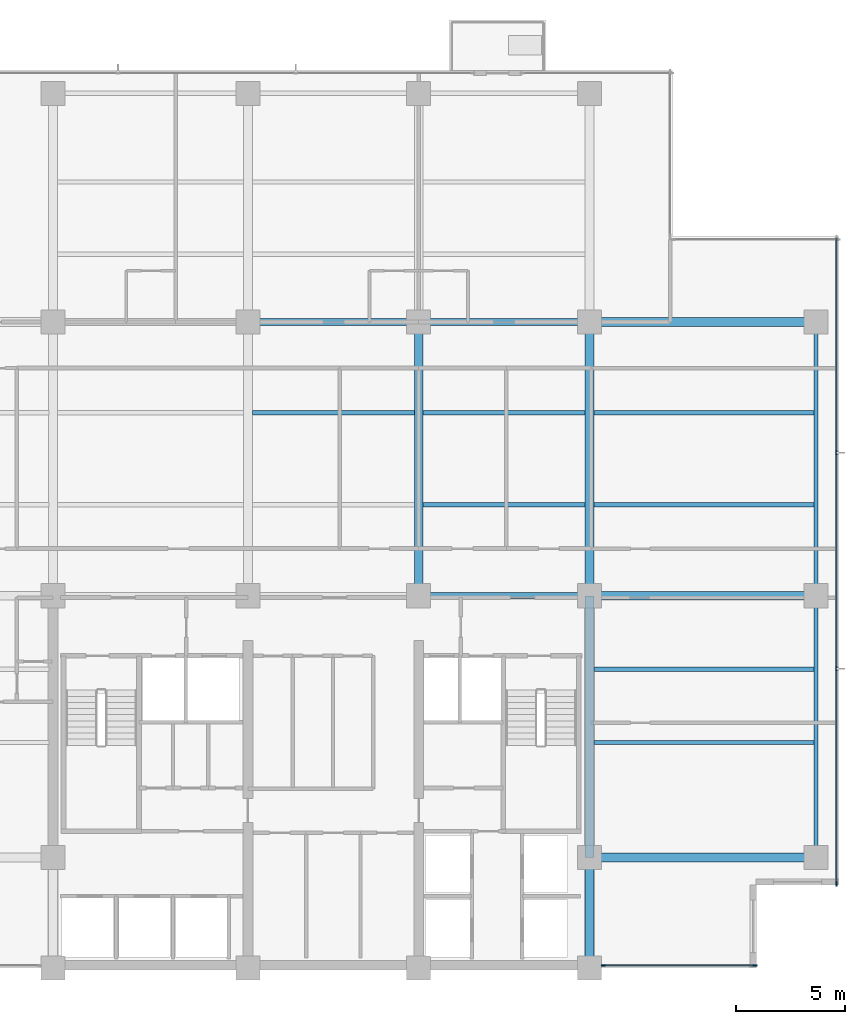
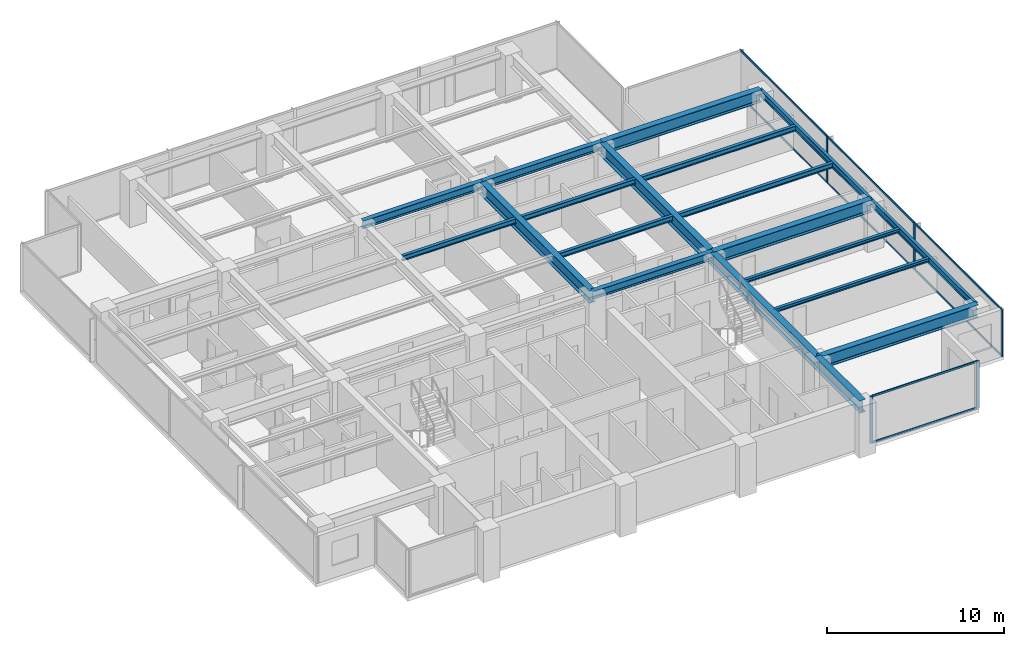
# One storey, part 3 of 15: 19 beams, 13 members, 2 elements without a shape of their own.
"""IFC4 building model written with IfcOpenShell, lengths in metres."""

from ifc_helpers import new_model, si_unit, direction, frame, origin, origin_2d, place, context, subcontext, project, spatial, rectangle, i_section, extrude, material, layer, layer_set, material_profile, profile_set, type_object, element, aggregate, save


model = new_model("IFC4")

# Units and contexts
model_context = context("Model", 3, precision=1e-05, world=origin(), true_north=direction((0.0, 1.0)))
body_context = subcontext(model_context, "Body", "Model", "MODEL_VIEW")
ifc_project = project(units=[si_unit("LENGTHUNIT", "METRE"), si_unit("AREAUNIT", "SQUARE_METRE"), si_unit("VOLUMEUNIT", "CUBIC_METRE"), si_unit("PLANEANGLEUNIT", "RADIAN"), si_unit("MASSUNIT", "GRAM", prefix="KILO")], contexts=[model_context])

# Site, building, storey
site_placement = place(None, origin())
site = spatial("IfcSite", under=ifc_project, at=site_placement, CompositionType="ELEMENT")
building_placement = place(site_placement, origin())
building = spatial("IfcBuilding", under=site, at=building_placement, Name="Qalmaran Belvedere Hotel", CompositionType="ELEMENT")
storey_placement = place(building_placement, frame((0.0, 0.0, 163.10009765625)))
storey = spatial("IfcBuildingStorey", under=building, at=storey_placement, Name="L41", CompositionType="ELEMENT", Elevation=163.10009765625)

# Beams
ifc_material_1 = material(Name="Steel S355JR", Category="steel")
ifc_material_profile_1 = material_profile(ifc_material_1, i_section(OverallWidth=0.201904296875, OverallDepth=0.2470703125, WebThickness=0.00732421875, FlangeThickness=0.010986328125, FilletRadius=0.011962890625, at=origin_2d()), Name="W250X49")
ifc_profile_set_1 = profile_set([ifc_material_profile_1], Name="Steel S355JR")
beam_type_1 = type_object("IfcBeamType", Name="BM-JST-W250X49", PredefinedType="JOIST", material=ifc_profile_set_1)
for number, where, z_axis, x_axis, name in (
    (1, (44.998046875, 13.800048828125, 3.12646484375), (1.0, 0.0, 0.0), (0.0, 1.0, 0.0), "L41 East Wing Joist 039"),
    (2, (44.998046875, 17.14990234375, 3.12646484375), (1.0, 0.0, 0.0), (0.0, 1.0, 0.0), "L41 East Wing Joist 041"),
):
    element("IfcBeam", number, at=place(storey_placement, frame(where, z_axis=z_axis, x_axis=x_axis)), inside=storey, type_object=beam_type_1, Name=name, PredefinedType="JOIST", context=body_context, shape_type="SweptSolid", body=[
        extrude(i_section(OverallWidth=0.201904296875, OverallDepth=0.2470703125, WebThickness=0.00732421875, FlangeThickness=0.010986328125, FilletRadius=0.011962890625, at=origin_2d()), origin(), (0.0, 0.0, 1.0), 10.057861328125),
    ])
ifc_material_profile_2 = material_profile(ifc_material_1, i_section(OverallWidth=0.39990234375, OverallDepth=0.85498046875, WebThickness=0.018310546875, FlangeThickness=0.029296875, FilletRadius=0.02392578125, at=origin_2d()), Name="W840X299")
ifc_profile_set_2 = profile_set([ifc_material_profile_2], Name="Steel S355JR")
beam_type_2 = type_object("IfcBeamType", Name="BM-PG3-W840X299", PredefinedType="USERDEFINED", material=ifc_profile_set_2)
for number, where, z_axis, x_axis, name in (
    (3, (37.0, 20.5, 2.822509765625), (0.0, 1.0, 0.0), (-1.0, 0.0, 0.0), "L41 Mid-Plate N-S Girder 18"),
    (4, (44.800048828125, 20.5, 2.822509765625), (0.0, 1.0, 0.0), (-1.0, 0.0, 0.0), "L41 Mid-Plate N-S Girder 20"),
):
    element("IfcBeam", number, at=place(storey_placement, frame(where, z_axis=z_axis, x_axis=x_axis)), inside=storey, type_object=beam_type_2, Name=name, ObjectType="GIRDER", PredefinedType="USERDEFINED", context=body_context, shape_type="SweptSolid", body=[
        extrude(i_section(OverallWidth=0.39990234375, OverallDepth=0.85498046875, WebThickness=0.018310546875, FlangeThickness=0.029296875, FilletRadius=0.02392578125, at=origin_2d()), origin(), (0.0, 0.0, 1.0), 12.5),
    ])
beam_1_placement = place(storey_placement, frame((44.800048828125, 3.5, 2.822509765625), z_axis=(0.0, 1.0, 0.0), x_axis=(-1.0, 0.0, 0.0)))
element("IfcBeam", 5, at=beam_1_placement, inside=storey, type_object=beam_type_2, Name="L41 East Core Edge Girder A", ObjectType="GIRDER", PredefinedType="USERDEFINED", context=body_context, shape_type="SweptSolid", body=[
    extrude(i_section(OverallWidth=0.39990234375, OverallDepth=0.85498046875, WebThickness=0.018310546875, FlangeThickness=0.029296875, FilletRadius=0.02392578125, at=origin_2d()), origin(), (0.0, 0.0, 1.0), 5.050048828125),
])
beam_2_placement = place(storey_placement, frame((44.800048828125, 8.550048828125, 2.822509765625), z_axis=(0.0, 1.0, 0.0), x_axis=(-1.0, 0.0, 0.0)))
element("IfcBeam", 6, at=beam_2_placement, inside=storey, type_object=beam_type_2, Name="L41 East Core Edge Girder B", ObjectType="GIRDER", PredefinedType="USERDEFINED", context=body_context, shape_type="SweptSolid", body=[
    extrude(i_section(OverallWidth=0.39990234375, OverallDepth=0.85498046875, WebThickness=0.018310546875, FlangeThickness=0.029296875, FilletRadius=0.02392578125, at=origin_2d()), origin(), (0.0, 0.0, 1.0), 11.949951171875),
])
for number, where, z_axis, x_axis, name in (
    (7, (44.800048828125, 8.550048828125, 2.822509765625), (1.0, 0.0, 0.0), (0.0, 1.0, 0.0), "L41 East Wing Girder 25"),
    (8, (44.800048828125, 20.5, 2.822509765625), (1.0, 0.0, 0.0), (0.0, 1.0, 0.0), "L41 East Wing Girder 26"),
    (9, (44.800048828125, 33.0, 2.822509765625), (1.0, 0.0, 0.0), (0.0, 1.0, 0.0), "L41 East Wing Girder 27"),
):
    element("IfcBeam", number, at=place(storey_placement, frame(where, z_axis=z_axis, x_axis=x_axis)), inside=storey, type_object=beam_type_2, Name=name, ObjectType="GIRDER", PredefinedType="USERDEFINED", context=body_context, shape_type="SweptSolid", body=[
        extrude(i_section(OverallWidth=0.39990234375, OverallDepth=0.85498046875, WebThickness=0.018310546875, FlangeThickness=0.029296875, FilletRadius=0.02392578125, at=origin_2d()), origin(), (0.0, 0.0, 1.0), 10.349853515625),
    ])
ifc_material_profile_3 = material_profile(ifc_material_1, i_section(OverallWidth=0.205078125, OverallDepth=0.35400390625, WebThickness=0.009521484375, FlangeThickness=0.016845703125, FilletRadius=0.014892578125, at=origin_2d()), Name="W360X79")
ifc_profile_set_3 = profile_set([ifc_material_profile_3], Name="Steel S355JR")
beam_type_3 = type_object("IfcBeamType", Name="BM-SB3-W360X79", PredefinedType="BEAM", material=ifc_profile_set_3)
beam_3_placement = place(storey_placement, frame((37.197998046875, 24.64990234375, 3.072998046875), z_axis=(1.0, 0.0, 0.0), x_axis=(0.0, 1.0, 0.0)))
element("IfcBeam", 10, at=beam_3_placement, inside=storey, type_object=beam_type_3, Name="L41 Secondary Floor Beam 031", PredefinedType="BEAM", context=body_context, shape_type="SweptSolid", body=[
    extrude(i_section(OverallWidth=0.205078125, OverallDepth=0.35400390625, WebThickness=0.009521484375, FlangeThickness=0.016845703125, FilletRadius=0.014892578125, at=origin_2d()), origin(), (0.0, 0.0, 1.0), 7.404052734375),
])
beam_4_placement = place(storey_placement, frame((44.998046875, 24.64990234375, 3.072998046875), z_axis=(1.0, 0.0, 0.0), x_axis=(0.0, 1.0, 0.0)))
element("IfcBeam", 11, at=beam_4_placement, inside=storey, type_object=beam_type_3, Name="L41 East Secondary Beam 032", PredefinedType="BEAM", context=body_context, shape_type="SweptSolid", body=[
    extrude(i_section(OverallWidth=0.205078125, OverallDepth=0.35400390625, WebThickness=0.009521484375, FlangeThickness=0.016845703125, FilletRadius=0.014892578125, at=origin_2d()), origin(), (0.0, 0.0, 1.0), 10.057861328125),
])
for number, where, z_axis, x_axis, name in (
    (12, (29.39794921875, 28.85009765625, 3.072998046875), (1.0, 0.0, 0.0), (0.0, 1.0, 0.0), "L41 Secondary Floor Beam 035"),
    (13, (37.197998046875, 28.85009765625, 3.072998046875), (1.0, 0.0, 0.0), (0.0, 1.0, 0.0), "L41 Secondary Floor Beam 036"),
):
    element("IfcBeam", number, at=place(storey_placement, frame(where, z_axis=z_axis, x_axis=x_axis)), inside=storey, type_object=beam_type_3, Name=name, PredefinedType="BEAM", context=body_context, shape_type="SweptSolid", body=[
        extrude(i_section(OverallWidth=0.205078125, OverallDepth=0.35400390625, WebThickness=0.009521484375, FlangeThickness=0.016845703125, FilletRadius=0.014892578125, at=origin_2d()), origin(), (0.0, 0.0, 1.0), 7.404052734375),
    ])
beam_5_placement = place(storey_placement, frame((44.998046875, 28.85009765625, 3.072998046875), z_axis=(1.0, 0.0, 0.0), x_axis=(0.0, 1.0, 0.0)))
element("IfcBeam", 14, at=beam_5_placement, inside=storey, type_object=beam_type_3, Name="L41 East Secondary Beam 037", PredefinedType="BEAM", context=body_context, shape_type="SweptSolid", body=[
    extrude(i_section(OverallWidth=0.205078125, OverallDepth=0.35400390625, WebThickness=0.009521484375, FlangeThickness=0.016845703125, FilletRadius=0.014892578125, at=origin_2d()), origin(), (0.0, 0.0, 1.0), 10.057861328125),
])
ifc_material_profile_4 = material_profile(ifc_material_1, i_section(OverallWidth=0.19189453125, OverallDepth=0.462890625, WebThickness=0.010498046875, FlangeThickness=0.017578125, FilletRadius=0.01611328125, at=origin_2d()), Name="W460X89")
ifc_profile_set_4 = profile_set([ifc_material_profile_4], Name="Steel S355JR")
beam_type_4 = type_object("IfcBeamType", Name="BM-SP2-W460X89", PredefinedType="SPANDREL", material=ifc_profile_set_4)
beam_6_placement = place(storey_placement, frame((55.14990234375, 8.550048828125, 3.018310546875), z_axis=(0.0, 1.0, 0.0), x_axis=(-1.0, 0.0, 0.0)))
element("IfcBeam", 15, at=beam_6_placement, inside=storey, type_object=beam_type_4, Name="L41 Perimeter Spandrel 03", PredefinedType="SPANDREL", context=body_context, shape_type="SweptSolid", body=[
    extrude(i_section(OverallWidth=0.19189453125, OverallDepth=0.462890625, WebThickness=0.010498046875, FlangeThickness=0.017578125, FilletRadius=0.01611328125, at=origin_2d()), origin(), (0.0, 0.0, 1.0), 11.949951171875),
])
beam_7_placement = place(storey_placement, frame((55.14990234375, 20.5, 3.018310546875), z_axis=(0.0, 1.0, 0.0), x_axis=(-1.0, 0.0, 0.0)))
element("IfcBeam", 16, at=beam_7_placement, inside=storey, type_object=beam_type_4, Name="L41 Perimeter Spandrel 04", PredefinedType="SPANDREL", context=body_context, shape_type="SweptSolid", body=[
    extrude(i_section(OverallWidth=0.19189453125, OverallDepth=0.462890625, WebThickness=0.010498046875, FlangeThickness=0.017578125, FilletRadius=0.01611328125, at=origin_2d()), origin(), (0.0, 0.0, 1.0), 12.5),
])
ifc_material_profile_5 = material_profile(ifc_material_1, i_section(OverallWidth=0.31201171875, OverallDepth=0.54296875, WebThickness=0.0126953125, FlangeThickness=0.020263671875, FilletRadius=0.01806640625, at=origin_2d()), Name="W530X150")
ifc_profile_set_5 = profile_set([ifc_material_profile_5], Name="Steel S355JR")
beam_type_5 = type_object("IfcBeamType", Name="BM-Z3-W530X150", PredefinedType="USERDEFINED", material=ifc_profile_set_5)
for number, where, z_axis, x_axis, name in (
    (17, (37.0, 20.5, 2.978515625), (1.0, 0.0, 0.0), (0.0, 1.0, 0.0), "L41 Interior E-W Girder 10"),
    (18, (29.199951171875, 33.0, 2.978515625), (1.0, 0.0, 0.0), (0.0, 1.0, 0.0), "L41 Interior E-W Girder 12"),
    (19, (37.0, 33.0, 2.978515625), (1.0, 0.0, 0.0), (0.0, 1.0, 0.0), "L41 Interior E-W Girder 13"),
):
    element("IfcBeam", number, at=place(storey_placement, frame(where, z_axis=z_axis, x_axis=x_axis)), inside=storey, type_object=beam_type_5, Name=name, ObjectType="GIRDER", PredefinedType="USERDEFINED", context=body_context, shape_type="SweptSolid", body=[
        extrude(i_section(OverallWidth=0.31201171875, OverallDepth=0.54296875, WebThickness=0.0126953125, FlangeThickness=0.020263671875, FilletRadius=0.01806640625, at=origin_2d()), origin(), (0.0, 0.0, 1.0), 7.800048828125),
    ])

# Curtain wall, members
ifc_material_2 = material(Name="Anodised Bronze Aluminium", Category="aluminium")
ifc_layer = layer(ifc_material_2, 0.195068359375, Name="Anodised Bronze Aluminium")
ifc_layer_set = layer_set([ifc_layer], Name="Anodised Bronze Aluminium")
curtain_wall_type = type_object("IfcCurtainWallType", Name="CW4-TOWER-HIGHMID", PredefinedType="NOTDEFINED", material=ifc_layer_set)
curtain_wall_1_placement = place(storey_placement, origin())
curtain_wall_1 = element("IfcCurtainWall", 20, at=curtain_wall_1_placement, inside=storey, type_object=curtain_wall_type, Name="L41 Curtain Wall CW4", PredefinedType="NOTDEFINED")
ifc_material_profile_6 = material_profile(ifc_material_2, rectangle(XDim=0.070068359375, YDim=0.18994140625, at=origin_2d()), Name="CWM70X190")
ifc_profile_set_6 = profile_set([ifc_material_profile_6], Name="Anodised Bronze Aluminium")
member_type_1 = type_object("IfcMemberType", Name="CWM-70X190", PredefinedType="MULLION", material=ifc_profile_set_6)
member_1_placement = place(storey_placement, frame((45.425048828125, 3.6201171875, 0.0), z_axis=(0.0, 0.0, 1.0), x_axis=(0.0, 1.0, 0.0)))
member_1 = element("IfcMember", 21, at=member_1_placement, type_object=member_type_1, Name="CW4 mullion 1", PredefinedType="MULLION", context=body_context, shape_type="SweptSolid", body=[
    extrude(rectangle(XDim=0.070068359375, YDim=0.18994140625, at=origin_2d()), origin(), (0.0, 0.0, 1.0), 3.25),
])
member_2_placement = place(storey_placement, frame((52.364990234375, 3.6201171875, 0.0), z_axis=(0.0, 0.0, 1.0), x_axis=(0.0, 1.0, 0.0)))
member_2 = element("IfcMember", 22, at=member_2_placement, type_object=member_type_1, Name="CW4 mullion 2", PredefinedType="MULLION", context=body_context, shape_type="SweptSolid", body=[
    extrude(rectangle(XDim=0.070068359375, YDim=0.18994140625, at=origin_2d()), origin(), (0.0, 0.0, 1.0), 3.25),
])

curtain_wall_2_placement = place(storey_placement, origin())
curtain_wall_2 = element("IfcCurtainWall", 23, at=curtain_wall_2_placement, inside=storey, type_object=curtain_wall_type, Name="L41 Curtain Wall CW4", PredefinedType="NOTDEFINED")
member_3_placement = place(storey_placement, frame((56.080078125, 7.3349609375, 0.0), z_axis=(0.0, 0.0, 1.0), x_axis=(-1.0, 0.0, 0.0)))
member_3 = element("IfcMember", 24, at=member_3_placement, type_object=member_type_1, Name="CW4 mullion 1", PredefinedType="MULLION", context=body_context, shape_type="SweptSolid", body=[
    extrude(rectangle(XDim=0.070068359375, YDim=0.18994140625, at=origin_2d()), origin(), (0.0, 0.0, 1.0), 3.25),
])
member_4_placement = place(storey_placement, frame((56.080078125, 17.166748046875, 0.0), z_axis=(0.0, 0.0, 1.0), x_axis=(-1.0, 0.0, 0.0)))
member_4 = element("IfcMember", 25, at=member_4_placement, type_object=member_type_1, Name="CW4 mullion 2", PredefinedType="MULLION", context=body_context, shape_type="SweptSolid", body=[
    extrude(rectangle(XDim=0.070068359375, YDim=0.18994140625, at=origin_2d()), origin(), (0.0, 0.0, 1.0), 3.25),
])
member_5_placement = place(storey_placement, frame((56.080078125, 27.033447265625, 0.0), z_axis=(0.0, 0.0, 1.0), x_axis=(-1.0, 0.0, 0.0)))
member_5 = element("IfcMember", 26, at=member_5_placement, type_object=member_type_1, Name="CW4 mullion 3", PredefinedType="MULLION", context=body_context, shape_type="SweptSolid", body=[
    extrude(rectangle(XDim=0.070068359375, YDim=0.18994140625, at=origin_2d()), origin(), (0.0, 0.0, 1.0), 3.25),
])

# Member
ifc_material_profile_7 = material_profile(ifc_material_2, rectangle(XDim=0.06494140625, YDim=0.1298828125, at=origin_2d()), Name="CWT65X130")
ifc_profile_set_7 = profile_set([ifc_material_profile_7], Name="Anodised Bronze Aluminium")
member_type_2 = type_object("IfcMemberType", Name="CWT-65X130", PredefinedType="USERDEFINED", material=ifc_profile_set_7)
member_6_placement = place(storey_placement, frame((45.4599609375, 3.6201171875, 0.032470703125), z_axis=(1.0, 0.0, 0.0), x_axis=(0.0, 1.0, 0.0)))
member_6 = element("IfcMember", 27, at=member_6_placement, type_object=member_type_2, Name="CW4 transom 1.1", ObjectType="TRANSOM", PredefinedType="USERDEFINED", context=body_context, shape_type="SweptSolid", body=[
    extrude(rectangle(XDim=0.06494140625, YDim=0.1298828125, at=origin_2d()), origin(), (0.0, 0.0, 1.0), 6.8701171875),
])

member_7_placement = place(storey_placement, frame((45.4599609375, 3.6201171875, 3.21728515625), z_axis=(1.0, 0.0, 0.0), x_axis=(0.0, 1.0, 0.0)))
member_7 = element("IfcMember", 28, at=member_7_placement, type_object=member_type_2, Name="CW4 transom 1.2", ObjectType="TRANSOM", PredefinedType="USERDEFINED", context=body_context, shape_type="SweptSolid", body=[
    extrude(rectangle(XDim=0.06494140625, YDim=0.1298828125, at=origin_2d()), origin(), (0.0, 0.0, 1.0), 6.8701171875),
])

aggregate(curtain_wall_1, [member_1, member_2, member_6, member_7])

member_8_placement = place(storey_placement, frame((56.080078125, 7.3701171875, 0.032470703125), z_axis=(0.0, 1.0, 0.0), x_axis=(-1.0, 0.0, 0.0)))
member_8 = element("IfcMember", 29, at=member_8_placement, type_object=member_type_2, Name="CW4 transom 1.1", ObjectType="TRANSOM", PredefinedType="USERDEFINED", context=body_context, shape_type="SweptSolid", body=[
    extrude(rectangle(XDim=0.06494140625, YDim=0.1298828125, at=origin_2d()), origin(), (0.0, 0.0, 1.0), 9.761474609375),
])

member_9_placement = place(storey_placement, frame((56.080078125, 7.3701171875, 3.21728515625), z_axis=(0.0, 1.0, 0.0), x_axis=(-1.0, 0.0, 0.0)))
member_9 = element("IfcMember", 30, at=member_9_placement, type_object=member_type_2, Name="CW4 transom 1.2", ObjectType="TRANSOM", PredefinedType="USERDEFINED", context=body_context, shape_type="SweptSolid", body=[
    extrude(rectangle(XDim=0.06494140625, YDim=0.1298828125, at=origin_2d()), origin(), (0.0, 0.0, 1.0), 9.761474609375),
])

member_10_placement = place(storey_placement, frame((56.080078125, 17.20166015625, 0.032470703125), z_axis=(0.0, 1.0, 0.0), x_axis=(-1.0, 0.0, 0.0)))
member_10 = element("IfcMember", 31, at=member_10_placement, type_object=member_type_2, Name="CW4 transom 2.1", ObjectType="TRANSOM", PredefinedType="USERDEFINED", context=body_context, shape_type="SweptSolid", body=[
    extrude(rectangle(XDim=0.06494140625, YDim=0.1298828125, at=origin_2d()), origin(), (0.0, 0.0, 1.0), 9.796630859375),
])

member_11_placement = place(storey_placement, frame((56.080078125, 17.20166015625, 3.21728515625), z_axis=(0.0, 1.0, 0.0), x_axis=(-1.0, 0.0, 0.0)))
member_11 = element("IfcMember", 32, at=member_11_placement, type_object=member_type_2, Name="CW4 transom 2.2", ObjectType="TRANSOM", PredefinedType="USERDEFINED", context=body_context, shape_type="SweptSolid", body=[
    extrude(rectangle(XDim=0.06494140625, YDim=0.1298828125, at=origin_2d()), origin(), (0.0, 0.0, 1.0), 9.796630859375),
])

member_12_placement = place(storey_placement, frame((56.080078125, 27.068359375, 0.032470703125), z_axis=(0.0, 1.0, 0.0), x_axis=(-1.0, 0.0, 0.0)))
member_12 = element("IfcMember", 33, at=member_12_placement, type_object=member_type_2, Name="CW4 transom 3.1", ObjectType="TRANSOM", PredefinedType="USERDEFINED", context=body_context, shape_type="SweptSolid", body=[
    extrude(rectangle(XDim=0.06494140625, YDim=0.1298828125, at=origin_2d()), origin(), (0.0, 0.0, 1.0), 9.76171875),
])

member_13_placement = place(storey_placement, frame((56.080078125, 27.068359375, 3.21728515625), z_axis=(0.0, 1.0, 0.0), x_axis=(-1.0, 0.0, 0.0)))
member_13 = element("IfcMember", 34, at=member_13_placement, type_object=member_type_2, Name="CW4 transom 3.2", ObjectType="TRANSOM", PredefinedType="USERDEFINED", context=body_context, shape_type="SweptSolid", body=[
    extrude(rectangle(XDim=0.06494140625, YDim=0.1298828125, at=origin_2d()), origin(), (0.0, 0.0, 1.0), 9.76171875),
])

aggregate(curtain_wall_2, [member_3, member_4, member_5, member_8, member_9, member_10, member_11, member_12, member_13])

save(model, "model.ifc")
